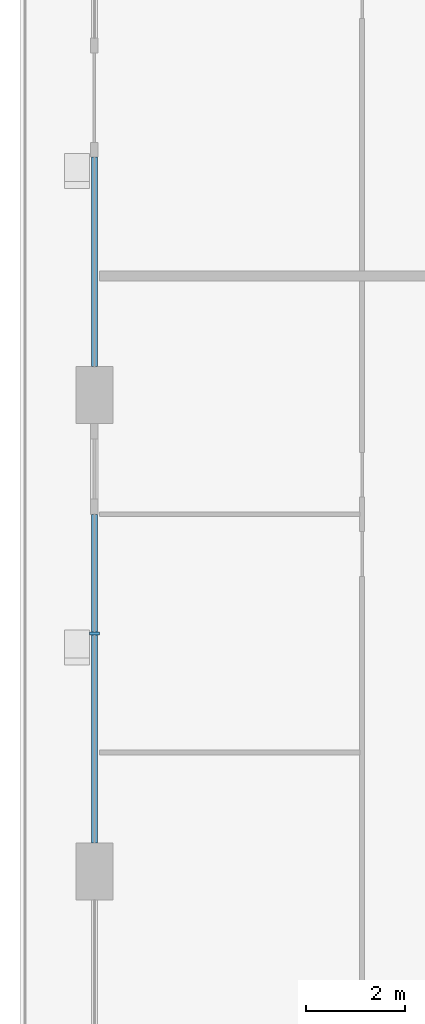
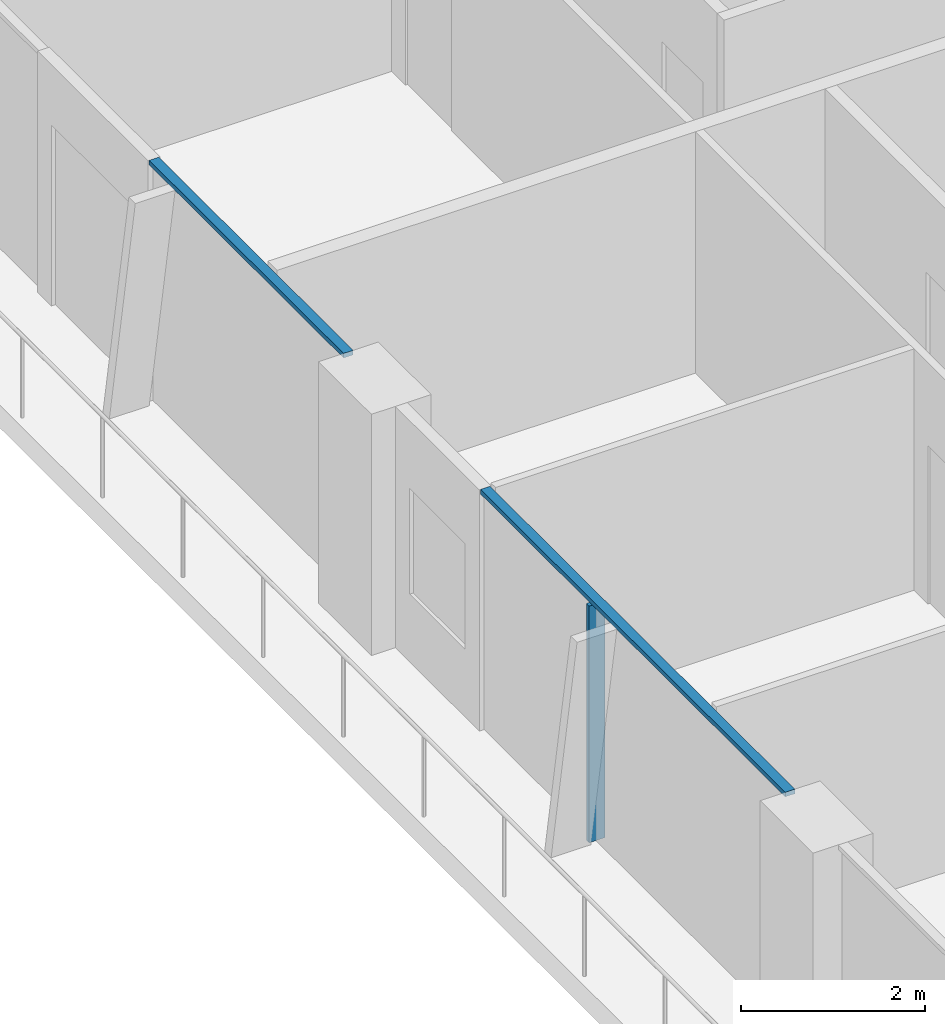
# One storey, part 3 of 22: 3 members, 2 elements without a shape of their own.
"""IFC4 building model written with IfcOpenShell, lengths in metres."""

import ifcopenshell
import ifcopenshell.guid

model = None  # the IFC model being written
_history = None  # IfcOwnerHistory: only IFC2X3 demands one
_inside = {}  # id of a spatial element -> (the spatial element, [elements in it])
_under = {}  # id of a project, library or spatial element -> (it, [spatial elements below it])
_declared = {}  # id of a project -> (the project, [libraries it declares])
_typed = {}  # id of a type object -> (the type object, [elements of that type])
_made_of = {}  # id of a material, layer set ... -> (it, [elements and type objects made of it])


def new_model(schema):
    """Start an empty IFC model of exactly this schema.

    Asked for "IFC4X3", IfcOpenShell would pick the latest addendum, in which some entities
    have other attributes; the version numbers below select the first issue.
    IFC2X3 requires an IfcOwnerHistory on every rooted entity: one is made here for all.
    """
    global model, _history
    if schema == "IFC4X3":
        model = ifcopenshell.file(schema_version=(4, 3, 0, 0))
    else:
        model = ifcopenshell.file(schema=schema)
    _inside.clear()
    _under.clear()
    _declared.clear()
    _typed.clear()
    _made_of.clear()
    _history = None
    if model.schema == "IFC2X3":
        org = make("IfcOrganization", Name="unknown")
        user = make(
            "IfcPersonAndOrganization",
            ThePerson=make("IfcPerson", FamilyName="unknown"),
            TheOrganization=org,
        )
        app = make(
            "IfcApplication",
            ApplicationDeveloper=org,
            Version="unknown",
            ApplicationFullName="unknown",
            ApplicationIdentifier="unknown",
        )
        _history = make(
            "IfcOwnerHistory",
            OwningUser=user,
            OwningApplication=app,
            ChangeAction="ADDED",
            CreationDate=0,
        )
    return model


def make(cls, **values):
    """One entity of the class cls with the attributes given. An attribute that is None is left unset."""
    return model.create_entity(
        cls, **{name: value for name, value in values.items() if value is not None}
    )


def rooted(cls, **values):
    """An entity with a GlobalId (a new one), such as an element, a storey or a relation."""
    return make(cls, GlobalId=ifcopenshell.guid.new(), OwnerHistory=_history, **values)


def si_unit(unit_type, name, prefix=None):
    """IfcSIUnit, for example si_unit("LENGTHUNIT", "METRE", prefix="MILLI")."""
    return make("IfcSIUnit", UnitType=unit_type, Prefix=prefix, Name=name)


def assignment(units):
    """IfcUnitAssignment: the units of a project."""
    return None if units is None else make("IfcUnitAssignment", Units=units)


def point(xyz):
    """IfcCartesianPoint."""
    return None if xyz is None else make("IfcCartesianPoint", Coordinates=xyz)


def direction(xyz):
    """IfcDirection."""
    return None if xyz is None else make("IfcDirection", DirectionRatios=xyz)


def frame(location, z_axis=None, x_axis=None):
    """IfcAxis2Placement3D, a coordinate frame: its origin and axes. An axis left out is left unset."""
    return make(
        "IfcAxis2Placement3D",
        Location=point(location),
        Axis=direction(z_axis),
        RefDirection=direction(x_axis),
    )


def frame_2d(location, x_axis=None):
    """IfcAxis2Placement2D, a coordinate frame in the plane: its origin and x axis."""
    return make(
        "IfcAxis2Placement2D", Location=point(location), RefDirection=direction(x_axis)
    )


def origin():
    """The frame at (0, 0, 0) with its axes left unset."""
    return frame((0.0, 0.0, 0.0))


def origin_2d():
    """The frame at (0, 0) in the plane with its x axis left unset."""
    return frame_2d((0.0, 0.0))


def place(relative_to, where):
    """IfcLocalPlacement: puts the frame where relative to a parent placement (None: the world)."""
    return make(
        "IfcLocalPlacement", PlacementRelTo=relative_to, RelativePlacement=where
    )


def context(
    kind, dimensions, precision=None, world=None, true_north=None, identifier=None
):
    """IfcGeometricRepresentationContext, for example the 3D "Model" context."""
    return make(
        "IfcGeometricRepresentationContext",
        ContextIdentifier=identifier,
        ContextType=kind,
        CoordinateSpaceDimension=dimensions,
        Precision=precision,
        WorldCoordinateSystem=world,
        TrueNorth=true_north,
    )


def subcontext(parent, identifier, kind, view, scale=None):
    """IfcGeometricRepresentationSubContext, for example "Body" below "Model"."""
    return make(
        "IfcGeometricRepresentationSubContext",
        ContextIdentifier=identifier,
        ContextType=kind,
        ParentContext=parent,
        TargetScale=scale,
        TargetView=view,
    )


def project(units=None, contexts=None):
    """IfcProject with its units and contexts."""
    return rooted(
        "IfcProject",
        Name="project",
        RepresentationContexts=contexts,
        UnitsInContext=assignment(units),
    )


def spatial(cls, under=None, at=None, **own):
    """A site, building, storey or space (cls), placed at a placement, below another one or the project."""
    s = rooted(cls, ObjectPlacement=at, **own)
    if under is not None:
        _under.setdefault(under.id(), (under, []))[1].append(s)
    return s


def profile(cls, at=None, kind="AREA", **sizes):
    """A parametric profile (cls). Its sizes go by their IFC names, for example OverallWidth=200.0."""
    return make(cls, ProfileType=kind, Position=at, **sizes)


def rectangle(**sizes):
    """IfcRectangleProfileDef."""
    return profile("IfcRectangleProfileDef", **sizes)


def extrude(swept, where, along, depth):
    """IfcExtrudedAreaSolid: the profile swept, set in the frame where, extruded along a direction by depth."""
    return make(
        "IfcExtrudedAreaSolid",
        SweptArea=swept,
        Position=where,
        ExtrudedDirection=direction(along),
        Depth=depth,
    )


def shape(context_of_items, identifier, shape_type, items):
    """IfcShapeRepresentation: the items that make up one representation, for example the "Body"."""
    return make(
        "IfcShapeRepresentation",
        ContextOfItems=context_of_items,
        RepresentationIdentifier=identifier,
        RepresentationType=shape_type,
        Items=items,
    )


def material(Name=None, Category=None):
    """IfcMaterial."""
    return make("IfcMaterial", Name=Name, Category=Category)


def layer(
    of_material, thickness, ventilated=None, Name=None, Category=None, Priority=None
):
    """IfcMaterialLayer: one layer of a wall or slab, of a material (None: an air gap)."""
    return make(
        "IfcMaterialLayer",
        Material=of_material,
        LayerThickness=thickness,
        IsVentilated=ventilated,
        Name=Name,
        Category=Category,
        Priority=Priority,
    )


def layer_set(layers, Name=None):
    """IfcMaterialLayerSet."""
    return make("IfcMaterialLayerSet", MaterialLayers=layers, LayerSetName=Name)


def material_profile(
    of_material, cross_section, Name=None, Category=None, Priority=None
):
    """IfcMaterialProfile: a cross section and its material."""
    return make(
        "IfcMaterialProfile",
        Name=Name,
        Material=of_material,
        Profile=cross_section,
        Priority=Priority,
        Category=Category,
    )


def profile_set(profiles, Name=None, composite=None):
    """IfcMaterialProfileSet."""
    return make(
        "IfcMaterialProfileSet",
        Name=Name,
        MaterialProfiles=profiles,
        CompositeProfile=composite,
    )


def made_of(thing, what):
    """Note that an element or type object is made of a material, layer set ...; save() writes the relation."""
    if what is not None:
        _made_of.setdefault(what.id(), (what, []))[1].append(thing)
    return thing


def type_object(cls, material=None, **own):
    """A type object (cls), such as IfcWallType, which elements share."""
    return made_of(rooted(cls, **own), material)


def element(
    cls,
    number,
    at=None,
    inside=None,
    cuts=None,
    type_object=None,
    material=None,
    context=None,
    identifier="Body",
    shape_type=None,
    held_by="IfcProductDefinitionShape",
    body=None,
    shapes=None,
    **own,
):
    """One element of the class cls, such as IfcWall. Its Tag is "e" and its number.

    at: its placement. inside: the storey or other place that contains it. cuts: it is an
    opening in that element (IfcRelVoidsElement). A single representation is given by context,
    identifier, shape_type and body (its items); several are given by shapes. held_by: the class
    of the entity that holds the representations. save() writes the other relations.
    """
    e = rooted(cls, Tag="e%d" % number, ObjectPlacement=at, **own)
    if body is not None:
        shapes = [shape(context, identifier, shape_type, body)]
    if shapes is not None:
        e.Representation = make(held_by, Representations=shapes)
    if inside is not None:
        _inside.setdefault(inside.id(), (inside, []))[1].append(e)
    if cuts is not None:
        rooted(
            "IfcRelVoidsElement", RelatingBuildingElement=cuts, RelatedOpeningElement=e
        )
    if type_object is not None:
        _typed.setdefault(type_object.id(), (type_object, []))[1].append(e)
    return made_of(e, material)


def aggregate(whole, parts):
    """IfcRelAggregates: a whole, such as a stair, and the parts it consists of."""
    return rooted("IfcRelAggregates", RelatingObject=whole, RelatedObjects=parts)


def save(model, path):
    """Write the relations noted so far, then the file.

    IfcRelAggregates (storeys below a building ...), IfcRelContainedInSpatialStructure (elements
    in a storey), IfcRelDefinesByType, IfcRelAssociatesMaterial and IfcRelDeclares: one each for
    every whole, place, type object, material and project.
    """
    for whole, parts in _under.values():
        aggregate(whole, parts)
    for where, things in _inside.values():
        rooted(
            "IfcRelContainedInSpatialStructure",
            RelatedElements=things,
            RelatingStructure=where,
        )
    for kind, things in _typed.values():
        rooted("IfcRelDefinesByType", RelatedObjects=things, RelatingType=kind)
    for what, things in _made_of.values():
        rooted("IfcRelAssociatesMaterial", RelatedObjects=things, RelatingMaterial=what)
    for by, libraries in _declared.values():
        rooted("IfcRelDeclares", RelatingContext=by, RelatedDefinitions=libraries)
    model.write(path)


model = new_model("IFC4")

# Units and contexts
model_context = context("Model", 3, precision=1e-05, world=origin(), true_north=direction((0.0, 1.0)))
body_context = subcontext(model_context, "Body", "Model", "MODEL_VIEW")
ifc_project = project(units=[si_unit("LENGTHUNIT", "METRE"), si_unit("AREAUNIT", "SQUARE_METRE"), si_unit("VOLUMEUNIT", "CUBIC_METRE"), si_unit("PLANEANGLEUNIT", "RADIAN"), si_unit("MASSUNIT", "GRAM", prefix="KILO")], contexts=[model_context])

# Site, building, storey
site_placement = place(None, origin())
site = spatial("IfcSite", under=ifc_project, at=site_placement, CompositionType="ELEMENT")
building_placement = place(site_placement, origin())
building = spatial("IfcBuilding", under=site, at=building_placement, Name="Madar Terraces", CompositionType="ELEMENT")
storey_placement = place(building_placement, frame((0.0, 0.0, 136.60009765625)))
storey = spatial("IfcBuildingStorey", under=building, at=storey_placement, Name="L35", CompositionType="ELEMENT", Elevation=136.60009765625)

# Curtain wall, member
ifc_material_1 = material(Name="Glass, ceramic frit dark grey, with black aluminium frame", Category="aluminium")
ifc_layer = layer(ifc_material_1, 0.199951171875)
ifc_layer_set = layer_set([ifc_layer], Name="Facade curtain wall, fritted glass")
curtain_wall_type = type_object("IfcCurtainWallType", Name="Facade curtain wall, fritted glass", PredefinedType="NOTDEFINED", material=ifc_layer_set)
curtain_wall_1_placement = place(storey_placement, origin())
curtain_wall_1 = element("IfcCurtainWall", 1, at=curtain_wall_1_placement, inside=storey, type_object=curtain_wall_type, Name="Outer skin curtain wall west bay 3", PredefinedType="NOTDEFINED")
ifc_material_2 = material(Name="Aluminium, black anodised", Category="aluminium")
ifc_material_profile_1 = material_profile(ifc_material_2, rectangle(XDim=0.199951171875, YDim=0.06005859375, at=origin_2d()), Name="Facade mullion 60x200")
ifc_profile_set_1 = profile_set([ifc_material_profile_1], Name="Aluminium, black anodised")
member_type_1 = type_object("IfcMemberType", Name="Facade mullion 60x200", PredefinedType="MULLION", material=ifc_profile_set_1)
member_1_placement = place(storey_placement, frame((0.0, 24.0, 0.0), z_axis=(0.0, 0.0, 1.0), x_axis=(1.0, 0.0, 0.0)))
member_1 = element("IfcMember", 2, at=member_1_placement, type_object=member_type_1, Name="Mullion 1", PredefinedType="MULLION", context=body_context, shape_type="SweptSolid", body=[
    extrude(rectangle(XDim=0.199951171875, YDim=0.06005859375, at=origin_2d()), origin(), (0.0, 0.0, 1.0), 3.139892578125),
])

curtain_wall_2_placement = place(storey_placement, origin())
curtain_wall_2 = element("IfcCurtainWall", 3, at=curtain_wall_2_placement, inside=storey, type_object=curtain_wall_type, Name="Outer skin curtain wall west bay 2", PredefinedType="NOTDEFINED")
ifc_material_3 = material(Name="Aluminium, black anodised", Category="aluminium")
ifc_material_profile_2 = material_profile(ifc_material_3, rectangle(XDim=0.1201171875, YDim=0.06005859375, at=origin_2d()), Name="Facade transom 60x120")
ifc_profile_set_2 = profile_set([ifc_material_profile_2], Name="Aluminium, black anodised")
member_type_2 = type_object("IfcMemberType", Name="Facade transom 60x120", PredefinedType="USERDEFINED", material=ifc_profile_set_2)
member_2_placement = place(storey_placement, frame((0.0, 33.60009765625, 3.169921875), z_axis=(0.0, -1.0, 0.0), x_axis=(1.0, 0.0, 0.0)))
member_2 = element("IfcMember", 4, at=member_2_placement, type_object=member_type_2, Name="Transom 2", ObjectType="TRANSOM", PredefinedType="USERDEFINED", context=body_context, shape_type="SweptSolid", body=[
    extrude(rectangle(XDim=0.1201171875, YDim=0.06005859375, at=origin_2d()), origin(), (0.0, 0.0, 1.0), 4.22509765625),
])
aggregate(curtain_wall_2, [member_2])

# Member
member_3_placement = place(storey_placement, frame((0.0, 26.39990234375, 3.169921875), z_axis=(0.0, -1.0, 0.0), x_axis=(1.0, 0.0, 0.0)))
member_3 = element("IfcMember", 5, at=member_3_placement, type_object=member_type_2, Name="Transom 1", ObjectType="TRANSOM", PredefinedType="USERDEFINED", context=body_context, shape_type="SweptSolid", body=[
    extrude(rectangle(XDim=0.1201171875, YDim=0.06005859375, at=origin_2d()), origin(), (0.0, 0.0, 1.0), 6.625),
])

aggregate(curtain_wall_1, [member_1, member_3])

save(model, "model.ifc")
